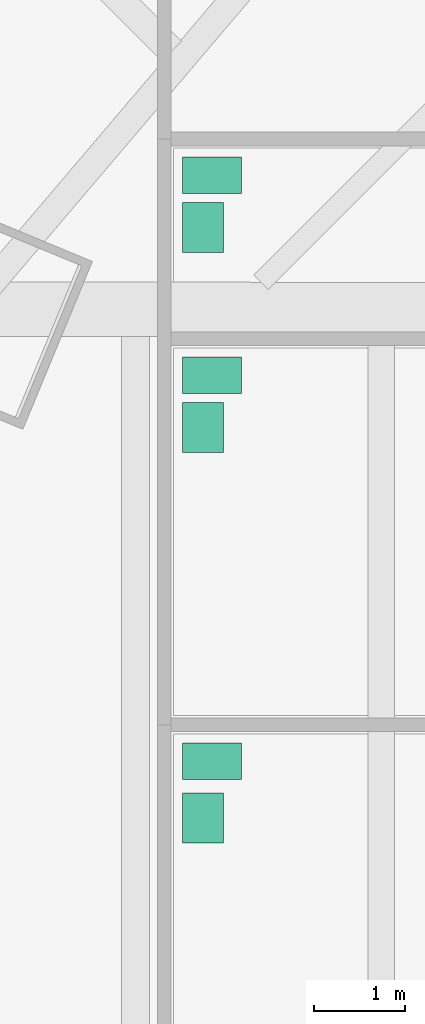
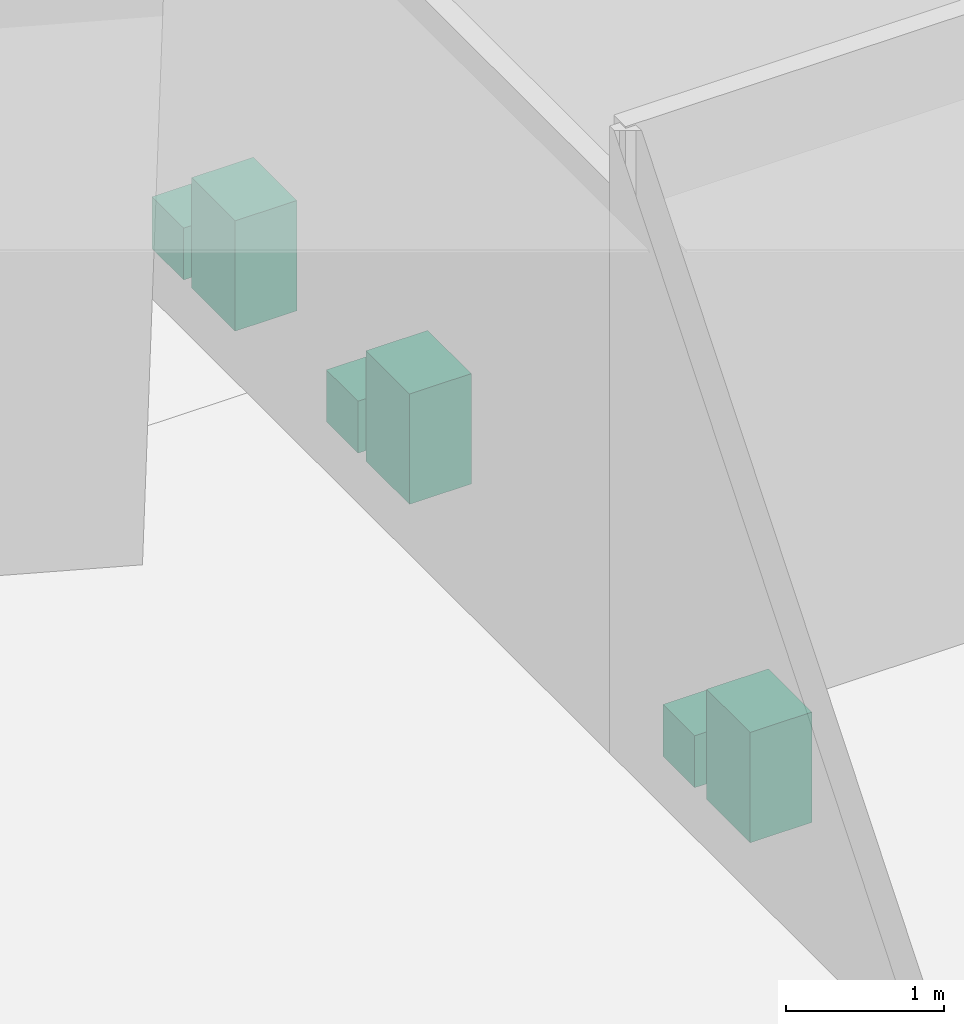
# One storey, part 19 of 20: 6 sanitary terminals.
"""IFC4 building model written with IfcOpenShell, lengths in metres."""

from ifc_helpers import new_model, si_unit, direction, frame, origin, origin_2d, place, context, subcontext, project, spatial, rectangle, extrude, material, type_object, element, save


model = new_model("IFC4")

# Units and contexts
model_context = context("Model", 3, precision=1e-05, world=origin(), true_north=direction((0.0, 1.0)))
body_context = subcontext(model_context, "Body", "Model", "MODEL_VIEW")
ifc_project = project(units=[si_unit("LENGTHUNIT", "METRE"), si_unit("AREAUNIT", "SQUARE_METRE"), si_unit("VOLUMEUNIT", "CUBIC_METRE"), si_unit("PLANEANGLEUNIT", "RADIAN"), si_unit("MASSUNIT", "GRAM", prefix="KILO")], contexts=[model_context])

# Site, building, storey
site_placement = place(None, origin())
site = spatial("IfcSite", under=ifc_project, at=site_placement, CompositionType="ELEMENT")
building_placement = place(site_placement, origin())
building = spatial("IfcBuilding", under=site, at=building_placement, Name="Mashrafa Tower", CompositionType="ELEMENT")
storey_placement = place(building_placement, frame((0.0, 0.0, 7.199951171875)))
storey = spatial("IfcBuildingStorey", under=building, at=storey_placement, Name="L01", CompositionType="ELEMENT", Elevation=7.199951171875)

# Sanitary terminals
ifc_material_1 = material(Name="Vitreous china")
sanitary_terminal_type_1 = type_object("IfcSanitaryTerminalType", Name="Toilet pan 400 x 650", PredefinedType="TOILETPAN", material=ifc_material_1)
for number, where, z_axis, x_axis, name in (
    (1, (-23.47509765625, 5.85009765625, 0.0), (0.0, 0.0, 1.0), (0.0, -1.0, 0.0), "Toilet pan WC Female L01"),
    (2, (-23.47509765625, 10.10009765625, 0.0), (0.0, 0.0, 1.0), (0.0, -1.0, 0.0), "Toilet pan WC Male L01"),
    (3, (-23.47509765625, 12.300048828125, 0.0), (0.0, 0.0, 1.0), (0.0, -1.0, 0.0), "Toilet pan Accessible WC L01"),
):
    element("IfcSanitaryTerminal", number, at=place(storey_placement, frame(where, z_axis=z_axis, x_axis=x_axis)), inside=storey, type_object=sanitary_terminal_type_1, Name=name, PredefinedType="TOILETPAN", context=body_context, shape_type="SweptSolid", body=[
        extrude(rectangle(XDim=0.39990234375, YDim=0.64990234375, at=origin_2d()), origin(), (0.0, 0.0, 1.0), 0.39990234375),
    ])
ifc_material_2 = material(Name="Vitreous china")
sanitary_terminal_type_2 = type_object("IfcSanitaryTerminalType", Name="Wash basin 550 x 450", PredefinedType="WASHHANDBASIN", material=ifc_material_2)
for number, where, z_axis, x_axis, name in (
    (4, (-23.574951171875, 5.22509765625, 0.0), (0.0, 0.0, 1.0), (0.0, -1.0, 0.0), "Wash basin WC Female L01"),
    (5, (-23.574951171875, 9.52490234375, 0.0), (0.0, 0.0, 1.0), (0.0, -1.0, 0.0), "Wash basin WC Male L01"),
    (6, (-23.574951171875, 11.72509765625, 0.0), (0.0, 0.0, 1.0), (0.0, -1.0, 0.0), "Wash basin Accessible WC L01"),
):
    element("IfcSanitaryTerminal", number, at=place(storey_placement, frame(where, z_axis=z_axis, x_axis=x_axis)), inside=storey, type_object=sanitary_terminal_type_2, Name=name, PredefinedType="WASHHANDBASIN", context=body_context, shape_type="SweptSolid", body=[
        extrude(rectangle(XDim=0.550048828125, YDim=0.449951171875, at=origin_2d()), origin(), (0.0, 0.0, 1.0), 0.85009765625),
    ])

save(model, "model.ifc")
